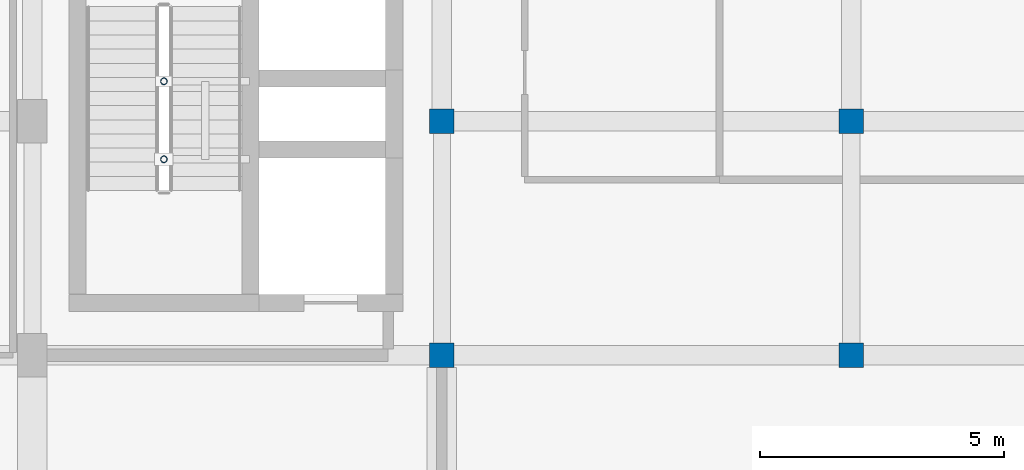
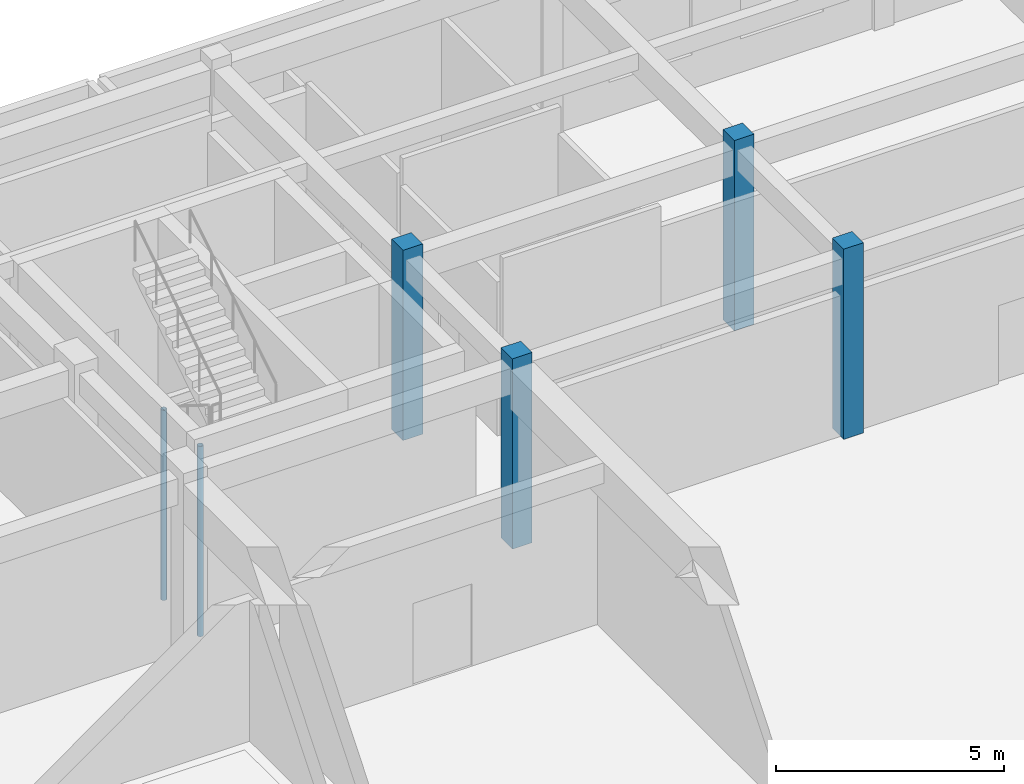
# One storey, part 9 of 93: 6 columns.
"""IFC4 building model written with IfcOpenShell, lengths in metres."""

from ifc_helpers import new_model, si_unit, direction, frame, origin, origin_2d, place, context, subcontext, project, spatial, rectangle, hollow_circle, extrude, material, material_profile, profile_set, type_object, element, save


model = new_model("IFC4")

# Units and contexts
model_context = context("Model", 3, precision=1e-05, world=origin(), true_north=direction((0.0, 1.0)))
body_context = subcontext(model_context, "Body", "Model", "MODEL_VIEW")
ifc_project = project(units=[si_unit("LENGTHUNIT", "METRE"), si_unit("AREAUNIT", "SQUARE_METRE"), si_unit("VOLUMEUNIT", "CUBIC_METRE"), si_unit("PLANEANGLEUNIT", "RADIAN"), si_unit("MASSUNIT", "GRAM", prefix="KILO")], contexts=[model_context])

# Site, building, storey
site_placement = place(None, origin())
site = spatial("IfcSite", under=ifc_project, at=site_placement, CompositionType="ELEMENT")
building_placement = place(site_placement, origin())
building = spatial("IfcBuilding", under=site, at=building_placement, Name="Krzemoval Escarpment Law Courts", CompositionType="ELEMENT")
storey_placement = place(building_placement, frame((0.0, 0.0, 10.199951171875)))
storey = spatial("IfcBuildingStorey", under=building, at=storey_placement, Name="L02", CompositionType="ELEMENT", Elevation=10.199951171875)

# Columns
ifc_material_1 = material(Name="Concrete C40/50", Category="concrete")
ifc_material_profile_1 = material_profile(ifc_material_1, rectangle(XDim=0.5, YDim=0.5, at=origin_2d()), Name="RC 500x500")
ifc_profile_set_1 = profile_set([ifc_material_profile_1], Name="Concrete C40/50")
column_type_1 = type_object("IfcColumnType", Name="COL-RC-500", PredefinedType="COLUMN", material=ifc_profile_set_1)
for number, where, z_axis, x_axis, name in (
    (1, (117.60009765625, 22.199951171875, 0.0), (0.0, 0.0, 1.0), (1.0, 0.0, 0.0), "Column FC-L02-0926"),
    (2, (117.60009765625, 27.0, 0.0), (0.0, 0.0, 1.0), (1.0, 0.0, 0.0), "Column FC-L02-0927"),
    (3, (126.0, 22.199951171875, 0.0), (0.0, 0.0, 1.0), (1.0, 0.0, 0.0), "Column FC-L02-0931"),
    (4, (126.0, 27.0, 0.0), (0.0, 0.0, 1.0), (1.0, 0.0, 0.0), "Column FC-L02-0932"),
):
    element("IfcColumn", number, at=place(storey_placement, frame(where, z_axis=z_axis, x_axis=x_axis)), inside=storey, type_object=column_type_1, Name=name, PredefinedType="COLUMN", context=body_context, shape_type="SweptSolid", body=[
        extrude(rectangle(XDim=0.5, YDim=0.5, at=origin_2d()), origin(), (0.0, 0.0, 1.0), 5.10009765625),
    ])
ifc_material_2 = material(Name="Steel S355", Category="steel")
ifc_material_profile_2 = material_profile(ifc_material_2, hollow_circle(Radius=0.06982421875, WallThickness=0.008056640625, at=origin_2d()), Name="CHS 139.7x8")
ifc_profile_set_2 = profile_set([ifc_material_profile_2], Name="Steel S355")
column_type_2 = type_object("IfcColumnType", Name="COL-S355-CHS140", PredefinedType="COLUMN", material=ifc_profile_set_2)
for number, where, z_axis, x_axis, name in (
    (5, (111.89990234375, 26.219970703125, -2.97998046875), (0.0, 0.0, 1.0), (1.0, 0.0, 0.0), "Stair Well Post SCP-C6-L02-1"),
    (6, (111.89990234375, 27.820068359375, -2.97998046875), (0.0, 0.0, 1.0), (1.0, 0.0, 0.0), "Stair Well Post SCP-C6-L02-2"),
):
    element("IfcColumn", number, at=place(storey_placement, frame(where, z_axis=z_axis, x_axis=x_axis)), inside=storey, type_object=column_type_2, Name=name, PredefinedType="COLUMN", context=body_context, shape_type="SweptSolid", body=[
        extrude(hollow_circle(Radius=0.06982421875, WallThickness=0.008056640625, at=origin_2d()), origin(), (0.0, 0.0, 1.0), 5.10009765625),
    ])

save(model, "model.ifc")
